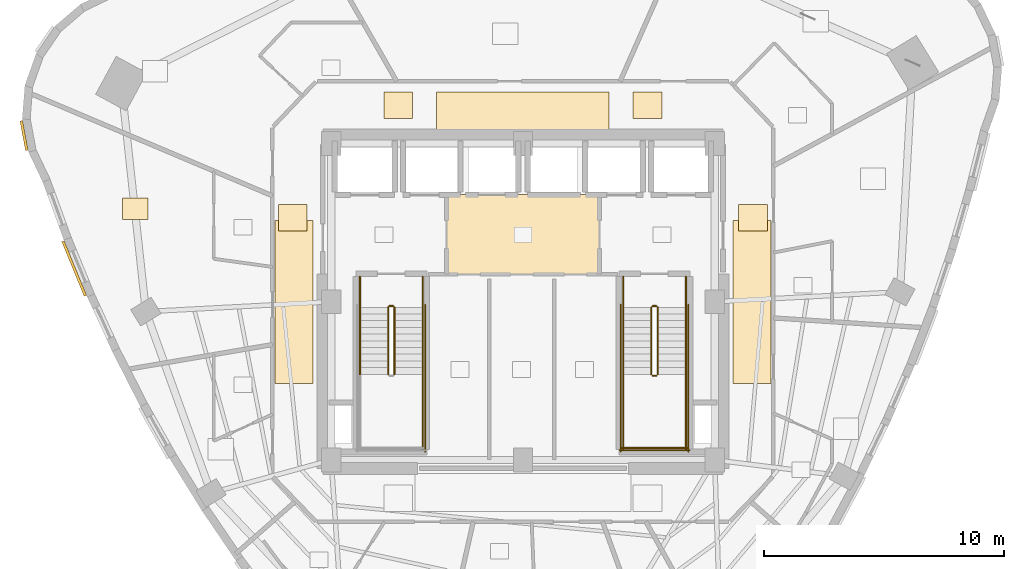
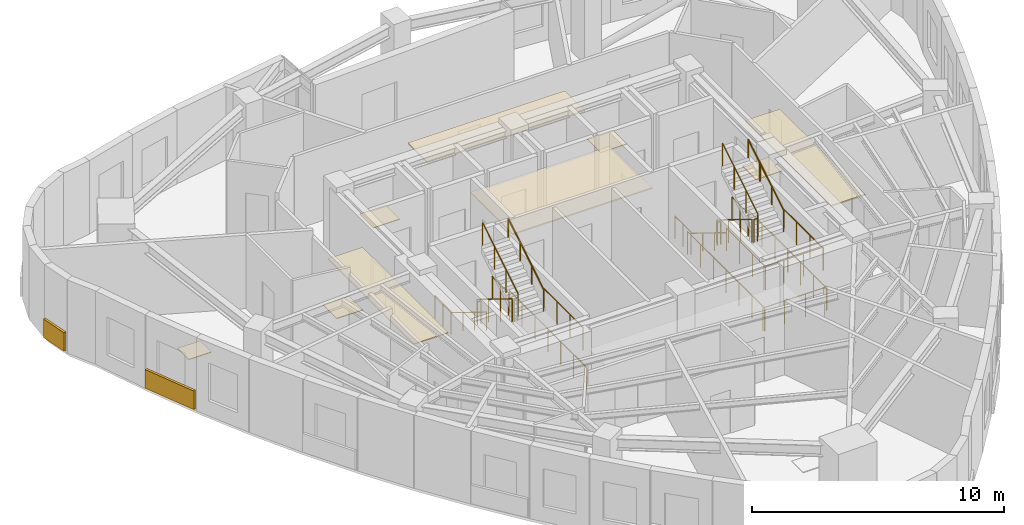
# One storey, part 11 of 12: 23 railings, 11 coverings.
"""IFC4 building model written with IfcOpenShell, lengths in metres."""

import ifcopenshell
import ifcopenshell.guid

model = None  # the IFC model being written
_history = None  # IfcOwnerHistory: only IFC2X3 demands one
_inside = {}  # id of a spatial element -> (the spatial element, [elements in it])
_under = {}  # id of a project, library or spatial element -> (it, [spatial elements below it])
_declared = {}  # id of a project -> (the project, [libraries it declares])
_typed = {}  # id of a type object -> (the type object, [elements of that type])
_made_of = {}  # id of a material, layer set ... -> (it, [elements and type objects made of it])


def new_model(schema):
    """Start an empty IFC model of exactly this schema.

    Asked for "IFC4X3", IfcOpenShell would pick the latest addendum, in which some entities
    have other attributes; the version numbers below select the first issue.
    IFC2X3 requires an IfcOwnerHistory on every rooted entity: one is made here for all.
    """
    global model, _history
    if schema == "IFC4X3":
        model = ifcopenshell.file(schema_version=(4, 3, 0, 0))
    else:
        model = ifcopenshell.file(schema=schema)
    _inside.clear()
    _under.clear()
    _declared.clear()
    _typed.clear()
    _made_of.clear()
    _history = None
    if model.schema == "IFC2X3":
        org = make("IfcOrganization", Name="unknown")
        user = make(
            "IfcPersonAndOrganization",
            ThePerson=make("IfcPerson", FamilyName="unknown"),
            TheOrganization=org,
        )
        app = make(
            "IfcApplication",
            ApplicationDeveloper=org,
            Version="unknown",
            ApplicationFullName="unknown",
            ApplicationIdentifier="unknown",
        )
        _history = make(
            "IfcOwnerHistory",
            OwningUser=user,
            OwningApplication=app,
            ChangeAction="ADDED",
            CreationDate=0,
        )
    return model


def make(cls, **values):
    """One entity of the class cls with the attributes given. An attribute that is None is left unset."""
    return model.create_entity(
        cls, **{name: value for name, value in values.items() if value is not None}
    )


def rooted(cls, **values):
    """An entity with a GlobalId (a new one), such as an element, a storey or a relation."""
    return make(cls, GlobalId=ifcopenshell.guid.new(), OwnerHistory=_history, **values)


def si_unit(unit_type, name, prefix=None):
    """IfcSIUnit, for example si_unit("LENGTHUNIT", "METRE", prefix="MILLI")."""
    return make("IfcSIUnit", UnitType=unit_type, Prefix=prefix, Name=name)


def assignment(units):
    """IfcUnitAssignment: the units of a project."""
    return None if units is None else make("IfcUnitAssignment", Units=units)


def point(xyz):
    """IfcCartesianPoint."""
    return None if xyz is None else make("IfcCartesianPoint", Coordinates=xyz)


def direction(xyz):
    """IfcDirection."""
    return None if xyz is None else make("IfcDirection", DirectionRatios=xyz)


def frame(location, z_axis=None, x_axis=None):
    """IfcAxis2Placement3D, a coordinate frame: its origin and axes. An axis left out is left unset."""
    return make(
        "IfcAxis2Placement3D",
        Location=point(location),
        Axis=direction(z_axis),
        RefDirection=direction(x_axis),
    )


def frame_2d(location, x_axis=None):
    """IfcAxis2Placement2D, a coordinate frame in the plane: its origin and x axis."""
    return make(
        "IfcAxis2Placement2D", Location=point(location), RefDirection=direction(x_axis)
    )


def origin():
    """The frame at (0, 0, 0) with its axes left unset."""
    return frame((0.0, 0.0, 0.0))


def origin_2d():
    """The frame at (0, 0) in the plane with its x axis left unset."""
    return frame_2d((0.0, 0.0))


def place(relative_to, where):
    """IfcLocalPlacement: puts the frame where relative to a parent placement (None: the world)."""
    return make(
        "IfcLocalPlacement", PlacementRelTo=relative_to, RelativePlacement=where
    )


def context(
    kind, dimensions, precision=None, world=None, true_north=None, identifier=None
):
    """IfcGeometricRepresentationContext, for example the 3D "Model" context."""
    return make(
        "IfcGeometricRepresentationContext",
        ContextIdentifier=identifier,
        ContextType=kind,
        CoordinateSpaceDimension=dimensions,
        Precision=precision,
        WorldCoordinateSystem=world,
        TrueNorth=true_north,
    )


def subcontext(parent, identifier, kind, view, scale=None):
    """IfcGeometricRepresentationSubContext, for example "Body" below "Model"."""
    return make(
        "IfcGeometricRepresentationSubContext",
        ContextIdentifier=identifier,
        ContextType=kind,
        ParentContext=parent,
        TargetScale=scale,
        TargetView=view,
    )


def project(units=None, contexts=None):
    """IfcProject with its units and contexts."""
    return rooted(
        "IfcProject",
        Name="project",
        RepresentationContexts=contexts,
        UnitsInContext=assignment(units),
    )


def spatial(cls, under=None, at=None, **own):
    """A site, building, storey or space (cls), placed at a placement, below another one or the project."""
    s = rooted(cls, ObjectPlacement=at, **own)
    if under is not None:
        _under.setdefault(under.id(), (under, []))[1].append(s)
    return s


def profile(cls, at=None, kind="AREA", **sizes):
    """A parametric profile (cls). Its sizes go by their IFC names, for example OverallWidth=200.0."""
    return make(cls, ProfileType=kind, Position=at, **sizes)


def rectangle(**sizes):
    """IfcRectangleProfileDef."""
    return profile("IfcRectangleProfileDef", **sizes)


def circle(**sizes):
    """IfcCircleProfileDef."""
    return profile("IfcCircleProfileDef", **sizes)


def extrude(swept, where, along, depth):
    """IfcExtrudedAreaSolid: the profile swept, set in the frame where, extruded along a direction by depth."""
    return make(
        "IfcExtrudedAreaSolid",
        SweptArea=swept,
        Position=where,
        ExtrudedDirection=direction(along),
        Depth=depth,
    )


def shape(context_of_items, identifier, shape_type, items):
    """IfcShapeRepresentation: the items that make up one representation, for example the "Body"."""
    return make(
        "IfcShapeRepresentation",
        ContextOfItems=context_of_items,
        RepresentationIdentifier=identifier,
        RepresentationType=shape_type,
        Items=items,
    )


def material(Name=None, Category=None):
    """IfcMaterial."""
    return make("IfcMaterial", Name=Name, Category=Category)


def layer(
    of_material, thickness, ventilated=None, Name=None, Category=None, Priority=None
):
    """IfcMaterialLayer: one layer of a wall or slab, of a material (None: an air gap)."""
    return make(
        "IfcMaterialLayer",
        Material=of_material,
        LayerThickness=thickness,
        IsVentilated=ventilated,
        Name=Name,
        Category=Category,
        Priority=Priority,
    )


def layer_set(layers, Name=None):
    """IfcMaterialLayerSet."""
    return make("IfcMaterialLayerSet", MaterialLayers=layers, LayerSetName=Name)


def made_of(thing, what):
    """Note that an element or type object is made of a material, layer set ...; save() writes the relation."""
    if what is not None:
        _made_of.setdefault(what.id(), (what, []))[1].append(thing)
    return thing


def type_object(cls, material=None, **own):
    """A type object (cls), such as IfcWallType, which elements share."""
    return made_of(rooted(cls, **own), material)


def element(
    cls,
    number,
    at=None,
    inside=None,
    cuts=None,
    type_object=None,
    material=None,
    context=None,
    identifier="Body",
    shape_type=None,
    held_by="IfcProductDefinitionShape",
    body=None,
    shapes=None,
    **own,
):
    """One element of the class cls, such as IfcWall. Its Tag is "e" and its number.

    at: its placement. inside: the storey or other place that contains it. cuts: it is an
    opening in that element (IfcRelVoidsElement). A single representation is given by context,
    identifier, shape_type and body (its items); several are given by shapes. held_by: the class
    of the entity that holds the representations. save() writes the other relations.
    """
    e = rooted(cls, Tag="e%d" % number, ObjectPlacement=at, **own)
    if body is not None:
        shapes = [shape(context, identifier, shape_type, body)]
    if shapes is not None:
        e.Representation = make(held_by, Representations=shapes)
    if inside is not None:
        _inside.setdefault(inside.id(), (inside, []))[1].append(e)
    if cuts is not None:
        rooted(
            "IfcRelVoidsElement", RelatingBuildingElement=cuts, RelatedOpeningElement=e
        )
    if type_object is not None:
        _typed.setdefault(type_object.id(), (type_object, []))[1].append(e)
    return made_of(e, material)


def aggregate(whole, parts):
    """IfcRelAggregates: a whole, such as a stair, and the parts it consists of."""
    return rooted("IfcRelAggregates", RelatingObject=whole, RelatedObjects=parts)


def save(model, path):
    """Write the relations noted so far, then the file.

    IfcRelAggregates (storeys below a building ...), IfcRelContainedInSpatialStructure (elements
    in a storey), IfcRelDefinesByType, IfcRelAssociatesMaterial and IfcRelDeclares: one each for
    every whole, place, type object, material and project.
    """
    for whole, parts in _under.values():
        aggregate(whole, parts)
    for where, things in _inside.values():
        rooted(
            "IfcRelContainedInSpatialStructure",
            RelatedElements=things,
            RelatingStructure=where,
        )
    for kind, things in _typed.values():
        rooted("IfcRelDefinesByType", RelatedObjects=things, RelatingType=kind)
    for what, things in _made_of.values():
        rooted("IfcRelAssociatesMaterial", RelatedObjects=things, RelatingMaterial=what)
    for by, libraries in _declared.values():
        rooted("IfcRelDeclares", RelatingContext=by, RelatedDefinitions=libraries)
    model.write(path)


model = new_model("IFC4")

# Units and contexts
model_context = context("Model", 3, precision=1e-05, world=origin(), true_north=direction((0.0, 1.0)))
body_context = subcontext(model_context, "Body", "Model", "MODEL_VIEW")
ifc_project = project(units=[si_unit("LENGTHUNIT", "METRE"), si_unit("AREAUNIT", "SQUARE_METRE"), si_unit("VOLUMEUNIT", "CUBIC_METRE"), si_unit("PLANEANGLEUNIT", "RADIAN"), si_unit("MASSUNIT", "GRAM", prefix="KILO")], contexts=[model_context])

# Site, building, storey
site_placement = place(None, origin())
site = spatial("IfcSite", under=ifc_project, at=site_placement, CompositionType="ELEMENT")
building_placement = place(site_placement, origin())
building = spatial("IfcBuilding", under=site, at=building_placement, Name="Ndelora Gate Hotel", CompositionType="ELEMENT")
storey_placement = place(building_placement, frame((0.0, 0.0, 220.75)))
storey = spatial("IfcBuildingStorey", under=building, at=storey_placement, Name="L55", CompositionType="ELEMENT", Elevation=220.75)

# Coverings
ifc_material_1 = material(Name="Perforated Acoustic Gypsum Board", Category="gypsum")
ifc_layer_1 = layer(ifc_material_1, 0.054931640625)
ifc_layer_set_1 = layer_set([ifc_layer_1], Name="Perforated Acoustic Gypsum Board")
covering_type_1 = type_object("IfcCoveringType", Name="COV-CEIL-AC60", PredefinedType="CEILING", material=ifc_layer_set_1)
covering_1_placement = place(storey_placement, frame((0.0, 2.800048828125, 2.72265625), z_axis=(0.0, 0.0, 1.0), x_axis=(1.0, 0.0, 0.0)))
element("IfcCovering", 1, at=covering_1_placement, inside=storey, type_object=covering_type_1, Name="L55 Lift Lobby Acoustic Ceiling", PredefinedType="CEILING", context=body_context, shape_type="SweptSolid", body=[
    extrude(rectangle(XDim=6.39990234375, YDim=3.340087890625, at=origin_2d()), origin(), (0.0, 0.0, 1.0), 0.054931640625),
])
covering_2_placement = place(storey_placement, frame((0.0, 7.9599609375, 2.65234375), z_axis=(0.0, 0.0, 1.0), x_axis=(1.0, 0.0, 0.0)))
element("IfcCovering", 2, at=covering_2_placement, inside=storey, type_object=covering_type_1, Name="L55 Guest Corridor Acoustic Ceiling N", PredefinedType="CEILING", context=body_context, shape_type="SweptSolid", body=[
    extrude(rectangle(XDim=7.199951171875, YDim=1.580078125, at=origin_2d()), origin(), (0.0, 0.0, 1.0), 0.054931640625),
])
for number, where, z_axis, x_axis, name in (
    (3, (-9.550048828125, 0.0, 2.65234375), (0.0, 0.0, 1.0), (1.0, 0.0, 0.0), "L55 Guest Corridor Acoustic Ceiling W"),
    (4, (9.550048828125, 0.0, 2.65234375), (0.0, 0.0, 1.0), (1.0, 0.0, 0.0), "L55 Guest Corridor Acoustic Ceiling E"),
):
    element("IfcCovering", number, at=place(storey_placement, frame(where, z_axis=z_axis, x_axis=x_axis)), inside=storey, type_object=covering_type_1, Name=name, PredefinedType="CEILING", context=body_context, shape_type="SweptSolid", body=[
        extrude(rectangle(XDim=1.580078125, YDim=6.800048828125, at=origin_2d()), origin(), (0.0, 0.0, 1.0), 0.054931640625),
    ])
ifc_material_2 = material(Name="Terracotta Fired Clay Brick Slip Cladding", Category="masonry")
ifc_layer_2 = layer(ifc_material_2, 0.110107421875)
ifc_layer_set_2 = layer_set([ifc_layer_2], Name="Terracotta Fired Clay Brick Slip Cladding")
covering_type_2 = type_object("IfcCoveringType", Name="COV-CLAD-BRK", PredefinedType="CLADDING", material=ifc_layer_set_2)
covering_3_placement = place(storey_placement, frame((-20.812744140625, 6.932861328125, 0.10009765625), z_axis=(0.0, 0.0, 1.0), x_axis=(-0.182235525492, 0.983254907564, 0.0)))
element("IfcCovering", 5, at=covering_3_placement, inside=storey, type_object=covering_type_2, Name="L55 Rounded-Corner Brick Cladding Band 7", PredefinedType="CLADDING", context=body_context, shape_type="SweptSolid", body=[
    extrude(rectangle(XDim=1.257080078125, YDim=0.110107421875, at=origin_2d()), origin(), (0.0, 0.0, 1.0), 0.89990234375),
])
covering_4_placement = place(storey_placement, frame((-18.722900390625, 1.38720703125, 0.10009765625), z_axis=(0.0, 0.0, 1.0), x_axis=(-0.379617633307, 0.925143476701, 0.0)))
element("IfcCovering", 6, at=covering_4_placement, inside=storey, type_object=covering_type_2, Name="L55 Rounded-Corner Brick Cladding Band 10", PredefinedType="CLADDING", context=body_context, shape_type="SweptSolid", body=[
    extrude(rectangle(XDim=2.4599609375, YDim=0.110107421875, at=origin_2d()), origin(), (0.0, 0.0, 1.0), 0.89990234375),
])
ifc_material_3 = material(Name="Engineered Highland Oak Parquet", Category="wood")
ifc_layer_3 = layer(ifc_material_3, 0.030029296875)
ifc_layer_set_3 = layer_set([ifc_layer_3], Name="Engineered Highland Oak Parquet")
covering_type_3 = type_object("IfcCoveringType", Name="COV-FLR-PARQ", PredefinedType="FLOORING", material=ifc_layer_set_3)
covering_5_placement = place(storey_placement, frame((-16.17578125, 3.88134765625, 0.0), z_axis=(0.0, 0.0, 1.0), x_axis=(1.0, 0.0, 0.0)))
element("IfcCovering", 7, at=covering_5_placement, inside=storey, type_object=covering_type_3, Name="L55 Executive Sky Suite 5805 Oak Parquet Flooring", PredefinedType="FLOORING", context=body_context, shape_type="SweptSolid", body=[
    extrude(rectangle(XDim=1.050048828125, YDim=0.89990234375, at=origin_2d()), origin(), (0.0, 0.0, 1.0), 0.030029296875),
])
ifc_material_4 = material(Name="Polished Highland Stone Terrazzo", Category="masonry")
ifc_layer_4 = layer(ifc_material_4, 0.034912109375)
ifc_layer_set_4 = layer_set([ifc_layer_4], Name="Polished Highland Stone Terrazzo")
covering_type_4 = type_object("IfcCoveringType", Name="COV-FLR-TERZ", PredefinedType="FLOORING", material=ifc_layer_set_4)
for number, where, z_axis, x_axis, name in (
    (8, (-5.199951171875, 8.199951171875, 0.0), (0.0, 0.0, 1.0), (1.0, 0.0, 0.0), "L55 Corridor Threshold Terrazzo Inlay NW"),
    (9, (5.199951171875, 8.199951171875, 0.0), (0.0, 0.0, 1.0), (1.0, 0.0, 0.0), "L55 Corridor Threshold Terrazzo Inlay NE"),
    (10, (-9.60009765625, 3.5, 0.0), (0.0, 0.0, 1.0), (1.0, 0.0, 0.0), "L55 Corridor Threshold Terrazzo Inlay W"),
    (11, (9.60009765625, 3.5, 0.0), (0.0, 0.0, 1.0), (1.0, 0.0, 0.0), "L55 Corridor Threshold Terrazzo Inlay E"),
):
    element("IfcCovering", number, at=place(storey_placement, frame(where, z_axis=z_axis, x_axis=x_axis)), inside=storey, type_object=covering_type_4, Name=name, PredefinedType="FLOORING", context=body_context, shape_type="SweptSolid", body=[
        extrude(rectangle(XDim=1.199951171875, YDim=1.10009765625, at=origin_2d()), origin(), (0.0, 0.0, 1.0), 0.034912109375),
    ])

# Railings
ifc_material_5 = material(Name="Painted Galvanized Steel Balustrade", Category="steel")
ifc_layer_5 = layer(ifc_material_5, 0.06005859375)
ifc_layer_set_5 = layer_set([ifc_layer_5], Name="Painted Galvanized Steel Balustrade")
railing_type_1 = type_object("IfcRailingType", Name="RL-STAIR-GD", PredefinedType="GUARDRAIL", material=ifc_layer_set_5)
railing_1_placement = place(storey_placement, frame((-5.6201171875, -0.22998046875, 0.172607421875)))
element("IfcRailing", 12, at=railing_1_placement, inside=storey, type_object=railing_type_1, Name="L55 ST4 stair guard 1", PredefinedType="GUARDRAIL", context=body_context, shape_type="SweptSolid", body=[
    extrude(circle(Radius=0.02392578125, at=origin_2d()), frame((0.0, 0.0, 1.10595703125), z_axis=(0.0, -0.851089632645, 0.525020415988), x_axis=(1.0, 0.0, 0.0)), (0.0, 0.0, 1.0), 3.2900390625),
    extrude(circle(Radius=0.02099609375, at=origin_2d()), origin(), (0.0, 0.0, 1.0), 1.081787109375),
    extrude(circle(Radius=0.02099609375, at=origin_2d()), frame((0.0, -0.933349609375, 0.57568359375)), (0.0, 0.0, 1.0), 1.081787109375),
    extrude(circle(Radius=0.02099609375, at=origin_2d()), frame((0.0, -1.86669921875, 1.151611328125)), (0.0, 0.0, 1.0), 1.081787109375),
    extrude(circle(Radius=0.02099609375, at=origin_2d()), frame((0.0, -2.800048828125, 1.727294921875)), (0.0, 0.0, 1.0), 1.081787109375),
])
railing_2_placement = place(storey_placement, frame((-4.179931640625, -3.030029296875, 1.89990234375)))
element("IfcRailing", 13, at=railing_2_placement, inside=storey, type_object=railing_type_1, Name="L55 ST4 stair guard 4", PredefinedType="GUARDRAIL", context=body_context, shape_type="SweptSolid", body=[
    extrude(circle(Radius=0.02392578125, at=origin_2d()), frame((0.0, 0.0, 1.10595703125), z_axis=(0.0, -1.0, 0.0), x_axis=(1.0, 0.0, 0.0)), (0.0, 0.0, 1.0), 3.119873046875),
    extrude(circle(Radius=0.02099609375, at=origin_2d()), origin(), (0.0, 0.0, 1.0), 1.081787109375),
    extrude(circle(Radius=0.02099609375, at=origin_2d()), frame((0.0, -1.0400390625, 0.0)), (0.0, 0.0, 1.0), 1.081787109375),
    extrude(circle(Radius=0.02099609375, at=origin_2d()), frame((0.0, -2.079833984375, 0.0)), (0.0, 0.0, 1.0), 1.081787109375),
    extrude(circle(Radius=0.02099609375, at=origin_2d()), frame((0.0, -3.119873046875, 0.0)), (0.0, 0.0, 1.0), 1.081787109375),
])
railing_3_placement = place(storey_placement, frame((-5.360107421875, -3.030029296875, 2.07275390625)))
element("IfcRailing", 14, at=railing_3_placement, inside=storey, type_object=railing_type_1, Name="L55 ST4 stair guard 6", PredefinedType="GUARDRAIL", context=body_context, shape_type="SweptSolid", body=[
    extrude(circle(Radius=0.02392578125, at=origin_2d()), frame((0.0, 0.0, 1.10595703125), z_axis=(0.0, 0.851089632645, 0.525020415988), x_axis=(-1.0, 0.0, 0.0)), (0.0, 0.0, 1.0), 3.2900390625),
    extrude(circle(Radius=0.02099609375, at=origin_2d()), origin(), (0.0, 0.0, 1.0), 1.081787109375),
    extrude(circle(Radius=0.02099609375, at=origin_2d()), frame((0.0, 0.933349609375, 0.57568359375)), (0.0, 0.0, 1.0), 1.081787109375),
    extrude(circle(Radius=0.02099609375, at=origin_2d()), frame((0.0, 1.86669921875, 1.151611328125)), (0.0, 0.0, 1.0), 1.081787109375),
    extrude(circle(Radius=0.02099609375, at=origin_2d()), frame((0.0, 2.800048828125, 1.727294921875)), (0.0, 0.0, 1.0), 1.081787109375),
])
railing_4_placement = place(storey_placement, frame((-5.570068359375, -0.179931640625, 0.0)))
element("IfcRailing", 15, at=railing_4_placement, inside=storey, type_object=railing_type_1, Name="L55 ST4 stair guard 7", PredefinedType="GUARDRAIL", context=body_context, shape_type="SweptSolid", body=[
    extrude(circle(Radius=0.02392578125, at=origin_2d()), frame((0.0, 0.0, 1.10595703125), z_axis=(1.0, 0.0, 0.0), x_axis=(0.0, 1.0, 0.0)), (0.0, 0.0, 1.0), 0.16015625),
    extrude(circle(Radius=0.02099609375, at=origin_2d()), origin(), (0.0, 0.0, 1.0), 1.081787109375),
    extrude(circle(Radius=0.02099609375, at=origin_2d()), frame((0.16015625, 0.0, 0.0)), (0.0, 0.0, 1.0), 1.081787109375),
])
for number, where, name in (
    (16, (-6.800048828125, 1.050048828125, 0.0), "L55 ST4 stair guard 8"),
    (17, (-4.179931640625, 1.050048828125, 0.0), "L55 ST4 stair guard 9"),
):
    element("IfcRailing", number, at=place(storey_placement, frame(where)), inside=storey, type_object=railing_type_1, Name=name, PredefinedType="GUARDRAIL", context=body_context, shape_type="SweptSolid", body=[
        extrude(circle(Radius=0.02392578125, at=origin_2d()), frame((0.0, 0.0, 1.10595703125), z_axis=(0.0, -1.0, 0.0), x_axis=(1.0, 0.0, 0.0)), (0.0, 0.0, 1.0), 1.280029296875),
        extrude(circle(Radius=0.02099609375, at=origin_2d()), origin(), (0.0, 0.0, 1.0), 1.081787109375),
        extrude(circle(Radius=0.02099609375, at=origin_2d()), frame((0.0, -0.64013671875, 0.0)), (0.0, 0.0, 1.0), 1.081787109375),
        extrude(circle(Radius=0.02099609375, at=origin_2d()), frame((0.0, -1.280029296875, 0.0)), (0.0, 0.0, 1.0), 1.081787109375),
    ])
railing_5_placement = place(storey_placement, frame((-4.080078125, -0.1298828125, 0.0)))
element("IfcRailing", 18, at=railing_5_placement, inside=storey, type_object=railing_type_1, Name="L55 ST4 stair guard 11", PredefinedType="GUARDRAIL", context=body_context, shape_type="SweptSolid", body=[
    extrude(circle(Radius=0.02392578125, at=origin_2d()), frame((0.0, 0.0, 1.10595703125), z_axis=(0.0, -1.0, 0.0), x_axis=(1.0, 0.0, 0.0)), (0.0, 0.0, 1.0), 6.1201171875),
    extrude(circle(Radius=0.02099609375, at=origin_2d()), origin(), (0.0, 0.0, 1.0), 1.081787109375),
    extrude(circle(Radius=0.02099609375, at=origin_2d()), frame((0.0, -1.02001953125, 0.0)), (0.0, 0.0, 1.0), 1.081787109375),
    extrude(circle(Radius=0.02099609375, at=origin_2d()), frame((0.0, -2.0400390625, 0.0)), (0.0, 0.0, 1.0), 1.081787109375),
    extrude(circle(Radius=0.02099609375, at=origin_2d()), frame((0.0, -3.06005859375, 0.0)), (0.0, 0.0, 1.0), 1.081787109375),
    extrude(circle(Radius=0.02099609375, at=origin_2d()), frame((0.0, -4.080078125, 0.0)), (0.0, 0.0, 1.0), 1.081787109375),
    extrude(circle(Radius=0.02099609375, at=origin_2d()), frame((0.0, -5.10009765625, 0.0)), (0.0, 0.0, 1.0), 1.081787109375),
    extrude(circle(Radius=0.02099609375, at=origin_2d()), frame((0.0, -6.1201171875, 0.0)), (0.0, 0.0, 1.0), 1.081787109375),
])
railing_6_placement = place(storey_placement, frame((5.360107421875, -0.22998046875, 0.172607421875)))
element("IfcRailing", 19, at=railing_6_placement, inside=storey, type_object=railing_type_1, Name="L55 ST5 stair guard 1", PredefinedType="GUARDRAIL", context=body_context, shape_type="SweptSolid", body=[
    extrude(circle(Radius=0.02392578125, at=origin_2d()), frame((0.0, 0.0, 1.10595703125), z_axis=(0.0, -0.851089632645, 0.525020415988), x_axis=(1.0, 0.0, 0.0)), (0.0, 0.0, 1.0), 3.2900390625),
    extrude(circle(Radius=0.02099609375, at=origin_2d()), origin(), (0.0, 0.0, 1.0), 1.081787109375),
    extrude(circle(Radius=0.02099609375, at=origin_2d()), frame((0.0, -0.933349609375, 0.57568359375)), (0.0, 0.0, 1.0), 1.081787109375),
    extrude(circle(Radius=0.02099609375, at=origin_2d()), frame((0.0, -1.86669921875, 1.151611328125)), (0.0, 0.0, 1.0), 1.081787109375),
    extrude(circle(Radius=0.02099609375, at=origin_2d()), frame((0.0, -2.800048828125, 1.727294921875)), (0.0, 0.0, 1.0), 1.081787109375),
])
railing_7_placement = place(storey_placement, frame((5.409912109375, -3.080078125, 1.89990234375)))
element("IfcRailing", 20, at=railing_7_placement, inside=storey, type_object=railing_type_1, Name="L55 ST5 stair guard 2", PredefinedType="GUARDRAIL", context=body_context, shape_type="SweptSolid", body=[
    extrude(circle(Radius=0.02392578125, at=origin_2d()), frame((0.0, 0.0, 1.10595703125), z_axis=(1.0, 0.0, 0.0), x_axis=(0.0, 1.0, 0.0)), (0.0, 0.0, 1.0), 0.16015625),
    extrude(circle(Radius=0.02099609375, at=origin_2d()), origin(), (0.0, 0.0, 1.0), 1.081787109375),
    extrude(circle(Radius=0.02099609375, at=origin_2d()), frame((0.16015625, 0.0, 0.0)), (0.0, 0.0, 1.0), 1.081787109375),
])
for number, where, name in (
    (21, (4.179931640625, -3.030029296875, 1.89990234375), "L55 ST5 stair guard 3"),
    (22, (6.800048828125, -3.030029296875, 1.89990234375), "L55 ST5 stair guard 4"),
):
    element("IfcRailing", number, at=place(storey_placement, frame(where)), inside=storey, type_object=railing_type_1, Name=name, PredefinedType="GUARDRAIL", context=body_context, shape_type="SweptSolid", body=[
        extrude(circle(Radius=0.02392578125, at=origin_2d()), frame((0.0, 0.0, 1.10595703125), z_axis=(0.0, -1.0, 0.0), x_axis=(1.0, 0.0, 0.0)), (0.0, 0.0, 1.0), 3.119873046875),
        extrude(circle(Radius=0.02099609375, at=origin_2d()), origin(), (0.0, 0.0, 1.0), 1.081787109375),
        extrude(circle(Radius=0.02099609375, at=origin_2d()), frame((0.0, -1.0400390625, 0.0)), (0.0, 0.0, 1.0), 1.081787109375),
        extrude(circle(Radius=0.02099609375, at=origin_2d()), frame((0.0, -2.079833984375, 0.0)), (0.0, 0.0, 1.0), 1.081787109375),
        extrude(circle(Radius=0.02099609375, at=origin_2d()), frame((0.0, -3.119873046875, 0.0)), (0.0, 0.0, 1.0), 1.081787109375),
    ])
railing_8_placement = place(storey_placement, frame((4.1298828125, -6.10009765625, 1.89990234375)))
element("IfcRailing", 23, at=railing_8_placement, inside=storey, type_object=railing_type_1, Name="L55 ST5 stair guard 5", PredefinedType="GUARDRAIL", context=body_context, shape_type="SweptSolid", body=[
    extrude(circle(Radius=0.02392578125, at=origin_2d()), frame((0.0, 0.0, 1.10595703125), z_axis=(1.0, 0.0, 0.0), x_axis=(0.0, 1.0, 0.0)), (0.0, 0.0, 1.0), 2.72021484375),
    extrude(circle(Radius=0.02099609375, at=origin_2d()), origin(), (0.0, 0.0, 1.0), 1.081787109375),
    extrude(circle(Radius=0.02099609375, at=origin_2d()), frame((0.90673828125, 0.0, 0.0)), (0.0, 0.0, 1.0), 1.081787109375),
    extrude(circle(Radius=0.02099609375, at=origin_2d()), frame((1.8134765625, 0.0, 0.0)), (0.0, 0.0, 1.0), 1.081787109375),
    extrude(circle(Radius=0.02099609375, at=origin_2d()), frame((2.72021484375, 0.0, 0.0)), (0.0, 0.0, 1.0), 1.081787109375),
])
railing_9_placement = place(storey_placement, frame((5.6201171875, -3.030029296875, 2.07275390625)))
element("IfcRailing", 24, at=railing_9_placement, inside=storey, type_object=railing_type_1, Name="L55 ST5 stair guard 6", PredefinedType="GUARDRAIL", context=body_context, shape_type="SweptSolid", body=[
    extrude(circle(Radius=0.02392578125, at=origin_2d()), frame((0.0, 0.0, 1.10595703125), z_axis=(0.0, 0.851089632645, 0.525020415988), x_axis=(-1.0, 0.0, 0.0)), (0.0, 0.0, 1.0), 3.2900390625),
    extrude(circle(Radius=0.02099609375, at=origin_2d()), origin(), (0.0, 0.0, 1.0), 1.081787109375),
    extrude(circle(Radius=0.02099609375, at=origin_2d()), frame((0.0, 0.933349609375, 0.57568359375)), (0.0, 0.0, 1.0), 1.081787109375),
    extrude(circle(Radius=0.02099609375, at=origin_2d()), frame((0.0, 1.86669921875, 1.151611328125)), (0.0, 0.0, 1.0), 1.081787109375),
    extrude(circle(Radius=0.02099609375, at=origin_2d()), frame((0.0, 2.800048828125, 1.727294921875)), (0.0, 0.0, 1.0), 1.081787109375),
])
railing_10_placement = place(storey_placement, frame((5.409912109375, -0.179931640625, 0.0)))
element("IfcRailing", 25, at=railing_10_placement, inside=storey, type_object=railing_type_1, Name="L55 ST5 stair guard 7", PredefinedType="GUARDRAIL", context=body_context, shape_type="SweptSolid", body=[
    extrude(circle(Radius=0.02392578125, at=origin_2d()), frame((0.0, 0.0, 1.10595703125), z_axis=(1.0, 0.0, 0.0), x_axis=(0.0, 1.0, 0.0)), (0.0, 0.0, 1.0), 0.16015625),
    extrude(circle(Radius=0.02099609375, at=origin_2d()), origin(), (0.0, 0.0, 1.0), 1.081787109375),
    extrude(circle(Radius=0.02099609375, at=origin_2d()), frame((0.16015625, 0.0, 0.0)), (0.0, 0.0, 1.0), 1.081787109375),
])
for number, where, name in (
    (26, (4.179931640625, 1.050048828125, 0.0), "L55 ST5 stair guard 8"),
    (27, (6.800048828125, 1.050048828125, 0.0), "L55 ST5 stair guard 9"),
):
    element("IfcRailing", number, at=place(storey_placement, frame(where)), inside=storey, type_object=railing_type_1, Name=name, PredefinedType="GUARDRAIL", context=body_context, shape_type="SweptSolid", body=[
        extrude(circle(Radius=0.02392578125, at=origin_2d()), frame((0.0, 0.0, 1.10595703125), z_axis=(0.0, -1.0, 0.0), x_axis=(1.0, 0.0, 0.0)), (0.0, 0.0, 1.0), 1.280029296875),
        extrude(circle(Radius=0.02099609375, at=origin_2d()), origin(), (0.0, 0.0, 1.0), 1.081787109375),
        extrude(circle(Radius=0.02099609375, at=origin_2d()), frame((0.0, -0.64013671875, 0.0)), (0.0, 0.0, 1.0), 1.081787109375),
        extrude(circle(Radius=0.02099609375, at=origin_2d()), frame((0.0, -1.280029296875, 0.0)), (0.0, 0.0, 1.0), 1.081787109375),
    ])
for number, where, name in (
    (28, (4.080078125, -0.1298828125, 0.0), "L55 ST5 stair guard 10"),
    (29, (6.89990234375, -0.1298828125, 0.0), "L55 ST5 stair guard 11"),
):
    element("IfcRailing", number, at=place(storey_placement, frame(where)), inside=storey, type_object=railing_type_1, Name=name, PredefinedType="GUARDRAIL", context=body_context, shape_type="SweptSolid", body=[
        extrude(circle(Radius=0.02392578125, at=origin_2d()), frame((0.0, 0.0, 1.10595703125), z_axis=(0.0, -1.0, 0.0), x_axis=(1.0, 0.0, 0.0)), (0.0, 0.0, 1.0), 6.1201171875),
        extrude(circle(Radius=0.02099609375, at=origin_2d()), origin(), (0.0, 0.0, 1.0), 1.081787109375),
        extrude(circle(Radius=0.02099609375, at=origin_2d()), frame((0.0, -1.02001953125, 0.0)), (0.0, 0.0, 1.0), 1.081787109375),
        extrude(circle(Radius=0.02099609375, at=origin_2d()), frame((0.0, -2.0400390625, 0.0)), (0.0, 0.0, 1.0), 1.081787109375),
        extrude(circle(Radius=0.02099609375, at=origin_2d()), frame((0.0, -3.06005859375, 0.0)), (0.0, 0.0, 1.0), 1.081787109375),
        extrude(circle(Radius=0.02099609375, at=origin_2d()), frame((0.0, -4.080078125, 0.0)), (0.0, 0.0, 1.0), 1.081787109375),
        extrude(circle(Radius=0.02099609375, at=origin_2d()), frame((0.0, -5.10009765625, 0.0)), (0.0, 0.0, 1.0), 1.081787109375),
        extrude(circle(Radius=0.02099609375, at=origin_2d()), frame((0.0, -6.1201171875, 0.0)), (0.0, 0.0, 1.0), 1.081787109375),
    ])
railing_11_placement = place(storey_placement, frame((4.030029296875, -6.199951171875, 0.0)))
element("IfcRailing", 30, at=railing_11_placement, inside=storey, type_object=railing_type_1, Name="L55 ST5 stair guard 12", PredefinedType="GUARDRAIL", context=body_context, shape_type="SweptSolid", body=[
    extrude(circle(Radius=0.02392578125, at=origin_2d()), frame((0.0, 0.0, 1.10595703125), z_axis=(1.0, 0.0, 0.0), x_axis=(0.0, 1.0, 0.0)), (0.0, 0.0, 1.0), 2.919921875),
    extrude(circle(Radius=0.02099609375, at=origin_2d()), origin(), (0.0, 0.0, 1.0), 1.081787109375),
    extrude(circle(Radius=0.02099609375, at=origin_2d()), frame((0.973388671875, 0.0, 0.0)), (0.0, 0.0, 1.0), 1.081787109375),
    extrude(circle(Radius=0.02099609375, at=origin_2d()), frame((1.946533203125, 0.0, 0.0)), (0.0, 0.0, 1.0), 1.081787109375),
    extrude(circle(Radius=0.02099609375, at=origin_2d()), frame((2.919921875, 0.0, 0.0)), (0.0, 0.0, 1.0), 1.081787109375),
])
ifc_material_6 = material(Name="Brushed Stainless Steel 316", Category="steel")
ifc_layer_6 = layer(ifc_material_6, 0.050048828125)
ifc_layer_set_6 = layer_set([ifc_layer_6], Name="Brushed Stainless Steel 316")
railing_type_2 = type_object("IfcRailingType", Name="RL-STAIR-HR", PredefinedType="HANDRAIL", material=ifc_layer_set_6)
railing_12_placement = place(storey_placement, frame((-6.800048828125, -0.22998046875, 0.172607421875)))
element("IfcRailing", 31, at=railing_12_placement, inside=storey, type_object=railing_type_2, Name="L55 ST4 stair handrail 1", PredefinedType="HANDRAIL", context=body_context, shape_type="SweptSolid", body=[
    extrude(circle(Radius=0.02392578125, at=origin_2d()), frame((0.0, 0.0, 0.8759765625), z_axis=(0.0, -0.851089632645, 0.525020415988), x_axis=(1.0, 0.0, 0.0)), (0.0, 0.0, 1.0), 3.2900390625),
    extrude(circle(Radius=0.02099609375, at=origin_2d()), origin(), (0.0, 0.0, 1.0), 0.851806640625),
    extrude(circle(Radius=0.02099609375, at=origin_2d()), frame((0.0, -0.933349609375, 0.57568359375)), (0.0, 0.0, 1.0), 0.851806640625),
    extrude(circle(Radius=0.02099609375, at=origin_2d()), frame((0.0, -1.86669921875, 1.151611328125)), (0.0, 0.0, 1.0), 0.851806640625),
    extrude(circle(Radius=0.02099609375, at=origin_2d()), frame((0.0, -2.800048828125, 1.727294921875)), (0.0, 0.0, 1.0), 0.851806640625),
])
railing_13_placement = place(storey_placement, frame((-4.179931640625, -3.030029296875, 2.07275390625)))
element("IfcRailing", 32, at=railing_13_placement, inside=storey, type_object=railing_type_2, Name="L55 ST4 stair handrail 2", PredefinedType="HANDRAIL", context=body_context, shape_type="SweptSolid", body=[
    extrude(circle(Radius=0.02392578125, at=origin_2d()), frame((0.0, 0.0, 0.8759765625), z_axis=(0.0, 0.851089632645, 0.525020415988), x_axis=(-1.0, 0.0, 0.0)), (0.0, 0.0, 1.0), 3.2900390625),
    extrude(circle(Radius=0.02099609375, at=origin_2d()), origin(), (0.0, 0.0, 1.0), 0.851806640625),
    extrude(circle(Radius=0.02099609375, at=origin_2d()), frame((0.0, 0.933349609375, 0.57568359375)), (0.0, 0.0, 1.0), 0.851806640625),
    extrude(circle(Radius=0.02099609375, at=origin_2d()), frame((0.0, 1.86669921875, 1.151611328125)), (0.0, 0.0, 1.0), 0.851806640625),
    extrude(circle(Radius=0.02099609375, at=origin_2d()), frame((0.0, 2.800048828125, 1.727294921875)), (0.0, 0.0, 1.0), 0.851806640625),
])
railing_14_placement = place(storey_placement, frame((4.179931640625, -0.22998046875, 0.172607421875)))
element("IfcRailing", 33, at=railing_14_placement, inside=storey, type_object=railing_type_2, Name="L55 ST5 stair handrail 1", PredefinedType="HANDRAIL", context=body_context, shape_type="SweptSolid", body=[
    extrude(circle(Radius=0.02392578125, at=origin_2d()), frame((0.0, 0.0, 0.8759765625), z_axis=(0.0, -0.851089632645, 0.525020415988), x_axis=(1.0, 0.0, 0.0)), (0.0, 0.0, 1.0), 3.2900390625),
    extrude(circle(Radius=0.02099609375, at=origin_2d()), origin(), (0.0, 0.0, 1.0), 0.851806640625),
    extrude(circle(Radius=0.02099609375, at=origin_2d()), frame((0.0, -0.933349609375, 0.57568359375)), (0.0, 0.0, 1.0), 0.851806640625),
    extrude(circle(Radius=0.02099609375, at=origin_2d()), frame((0.0, -1.86669921875, 1.151611328125)), (0.0, 0.0, 1.0), 0.851806640625),
    extrude(circle(Radius=0.02099609375, at=origin_2d()), frame((0.0, -2.800048828125, 1.727294921875)), (0.0, 0.0, 1.0), 0.851806640625),
])
railing_15_placement = place(storey_placement, frame((6.800048828125, -3.030029296875, 2.07275390625)))
element("IfcRailing", 34, at=railing_15_placement, inside=storey, type_object=railing_type_2, Name="L55 ST5 stair handrail 2", PredefinedType="HANDRAIL", context=body_context, shape_type="SweptSolid", body=[
    extrude(circle(Radius=0.02392578125, at=origin_2d()), frame((0.0, 0.0, 0.8759765625), z_axis=(0.0, 0.851089632645, 0.525020415988), x_axis=(-1.0, 0.0, 0.0)), (0.0, 0.0, 1.0), 3.2900390625),
    extrude(circle(Radius=0.02099609375, at=origin_2d()), origin(), (0.0, 0.0, 1.0), 0.851806640625),
    extrude(circle(Radius=0.02099609375, at=origin_2d()), frame((0.0, 0.933349609375, 0.57568359375)), (0.0, 0.0, 1.0), 0.851806640625),
    extrude(circle(Radius=0.02099609375, at=origin_2d()), frame((0.0, 1.86669921875, 1.151611328125)), (0.0, 0.0, 1.0), 0.851806640625),
    extrude(circle(Radius=0.02099609375, at=origin_2d()), frame((0.0, 2.800048828125, 1.727294921875)), (0.0, 0.0, 1.0), 0.851806640625),
])

save(model, "model.ifc")
